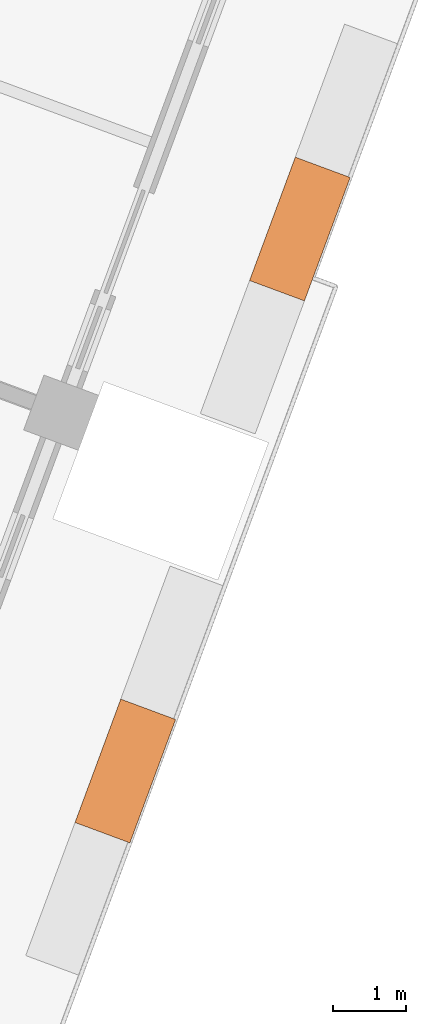
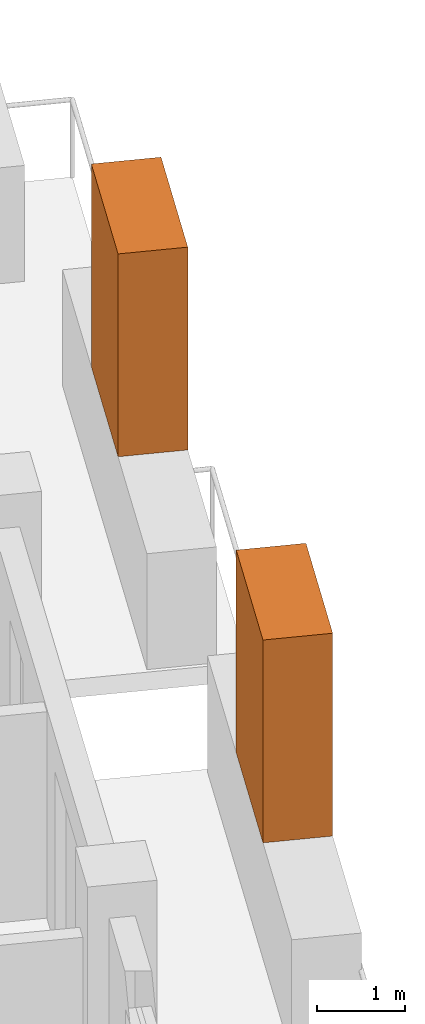
# One storey, part 20 of 20: 2 proxies.
"""IFC4 building model written with IfcOpenShell, lengths in metres."""

from ifc_helpers import new_model, si_unit, direction, frame, origin, origin_2d, place, context, subcontext, project, spatial, rectangle, extrude, element, save


model = new_model("IFC4")

# Units and contexts
model_context = context("Model", 3, precision=1e-05, world=origin(), true_north=direction((0.0, 1.0)))
body_context = subcontext(model_context, "Body", "Model", "MODEL_VIEW")
ifc_project = project(units=[si_unit("LENGTHUNIT", "METRE"), si_unit("AREAUNIT", "SQUARE_METRE"), si_unit("VOLUMEUNIT", "CUBIC_METRE"), si_unit("PLANEANGLEUNIT", "RADIAN"), si_unit("MASSUNIT", "GRAM", prefix="KILO")], contexts=[model_context])

# Site, building, storey
site_placement = place(None, origin())
site = spatial("IfcSite", under=ifc_project, at=site_placement, CompositionType="ELEMENT")
building_placement = place(site_placement, origin())
building = spatial("IfcBuilding", under=site, at=building_placement, Name="Cantera Rosa Tower", CompositionType="ELEMENT")
storey_placement = place(building_placement, frame((0.0, 0.0, 313.300048828125)))
storey = spatial("IfcBuildingStorey", under=building, at=storey_placement, Name="L69", CompositionType="ELEMENT", Elevation=313.300048828125)

# Proxies
for number, where, z_axis, x_axis, name in (
    (1, (18.65380859375, -15.63623046875, 1.60009765625), (0.0, 0.0, 1.0), (0.347481234489, 0.937686936924, 0.0), "TREE L69-15"),
    (2, (21.041015625, -8.223876953125, 1.60009765625), (0.0, 0.0, 1.0), (0.347481234489, 0.937686936924, 0.0), "TREE L69-16"),
):
    element("IfcBuildingElementProxy", number, at=place(storey_placement, frame(where, z_axis=z_axis, x_axis=x_axis)), inside=storey, Name=name, ObjectType="TREE", PredefinedType="USERDEFINED", context=body_context, shape_type="SweptSolid", body=[
        extrude(rectangle(XDim=1.800048828125, YDim=0.800048828125, at=origin_2d()), origin(), (0.0, 0.0, 1.0), 2.800048828125),
    ])

save(model, "model.ifc")
